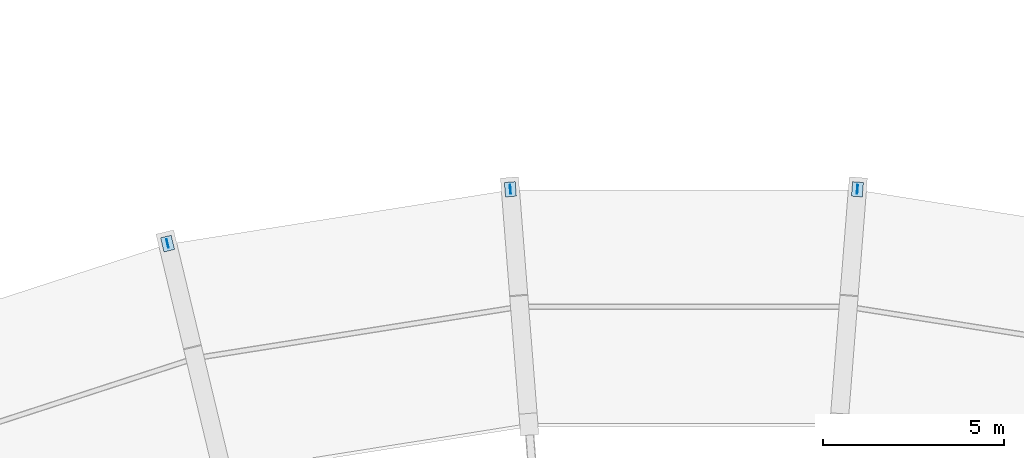
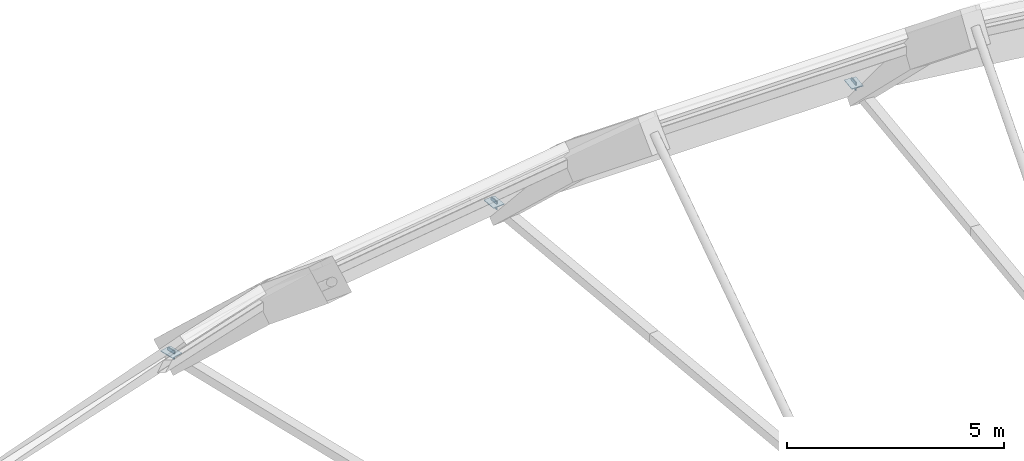
# One storey, part 27 of 34: 6 plates.
"""IFC4 building model written with IfcOpenShell, lengths in metres."""

from ifc_helpers import new_model, si_unit, direction, frame, origin, origin_2d, place, context, subcontext, project, spatial, rectangle, extrude, material, layer, layer_set, type_object, element, save


model = new_model("IFC4")

# Units and contexts
model_context = context("Model", 3, precision=1e-05, world=origin(), true_north=direction((0.0, 1.0)))
body_context = subcontext(model_context, "Body", "Model", "MODEL_VIEW")
ifc_project = project(units=[si_unit("LENGTHUNIT", "METRE"), si_unit("AREAUNIT", "SQUARE_METRE"), si_unit("VOLUMEUNIT", "CUBIC_METRE"), si_unit("PLANEANGLEUNIT", "RADIAN"), si_unit("MASSUNIT", "GRAM", prefix="KILO")], contexts=[model_context])

# Site, building, storey
site_placement = place(None, origin())
site = spatial("IfcSite", under=ifc_project, at=site_placement, CompositionType="ELEMENT")
building_placement = place(site_placement, origin())
building = spatial("IfcBuilding", under=site, at=building_placement, Name="Miralva Faculty of Natural Sciences", CompositionType="ELEMENT")
storey_placement = place(building_placement, frame((0.0, 0.0, 24.0)))
storey = spatial("IfcBuildingStorey", under=building, at=storey_placement, Name="L05", CompositionType="ELEMENT", Elevation=24.0)

# Plates
ifc_material = material(Name="Steel S355", Category="steel")
ifc_layer_1 = layer(ifc_material, 0.02490234375, Name="PLT-BP02")
ifc_layer_set_1 = layer_set([ifc_layer_1], Name="Steel S355")
plate_type_1 = type_object("IfcPlateType", Name="PLT-BP02", PredefinedType="SHEET", material=ifc_layer_set_1)
for number, where, z_axis, x_axis, name in (
    (1, (75.759765625, 38.314697265625, -0.16015625), (0.0, 0.0, 1.0), (-0.233445363856, 0.972369920398, 0.0), "Shell truss diagonal gusset plate 03-5"),
    (2, (85.214111328125, 39.81201171875, -0.16015625), (0.0, 0.0, 1.0), (-0.078459095728, 0.996917333733, 0.0), "Shell truss diagonal gusset plate 04-5"),
    (3, (94.785888671875, 39.81201171875, -0.16015625), (0.0, 0.0, 1.0), (0.078459095728, 0.996917333733, 0.0), "Shell truss diagonal gusset plate 05-5"),
):
    element("IfcPlate", number, at=place(storey_placement, frame(where, z_axis=z_axis, x_axis=x_axis)), inside=storey, type_object=plate_type_1, Name=name, PredefinedType="SHEET", context=body_context, shape_type="SweptSolid", body=[
        extrude(rectangle(XDim=0.239990234375, YDim=0.02001953125, at=origin_2d()), origin(), (0.0, 0.0, 1.0), 0.239990234375),
    ])
ifc_layer_2 = layer(ifc_material, 0.02001953125, Name="PLT-BP03")
ifc_layer_set_2 = layer_set([ifc_layer_2], Name="Steel S355")
plate_type_2 = type_object("IfcPlateType", Name="PLT-BP03", PredefinedType="SHEET", material=ifc_layer_set_2)
for number, where, z_axis, x_axis, name in (
    (4, (75.759765625, 38.314697265625, -0.02001953125), (0.0, 0.0, 1.0), (-0.233445363856, 0.972369920398, 0.0), "Shell springing bearing plate EB-03-OUT"),
    (5, (85.214111328125, 39.81201171875, -0.02001953125), (0.0, 0.0, 1.0), (-0.078459095728, 0.996917333733, 0.0), "Shell springing bearing plate EB-04-OUT"),
    (6, (94.785888671875, 39.81201171875, -0.02001953125), (0.0, 0.0, 1.0), (0.078459095728, 0.996917333733, 0.0), "Shell springing bearing plate EB-05-OUT"),
):
    element("IfcPlate", number, at=place(storey_placement, frame(where, z_axis=z_axis, x_axis=x_axis)), inside=storey, type_object=plate_type_2, Name=name, PredefinedType="SHEET", context=body_context, shape_type="SweptSolid", body=[
        extrude(rectangle(XDim=0.39990234375, YDim=0.300048828125, at=origin_2d()), origin(), (0.0, 0.0, 1.0), 0.02001953125),
    ])

save(model, "model.ifc")
